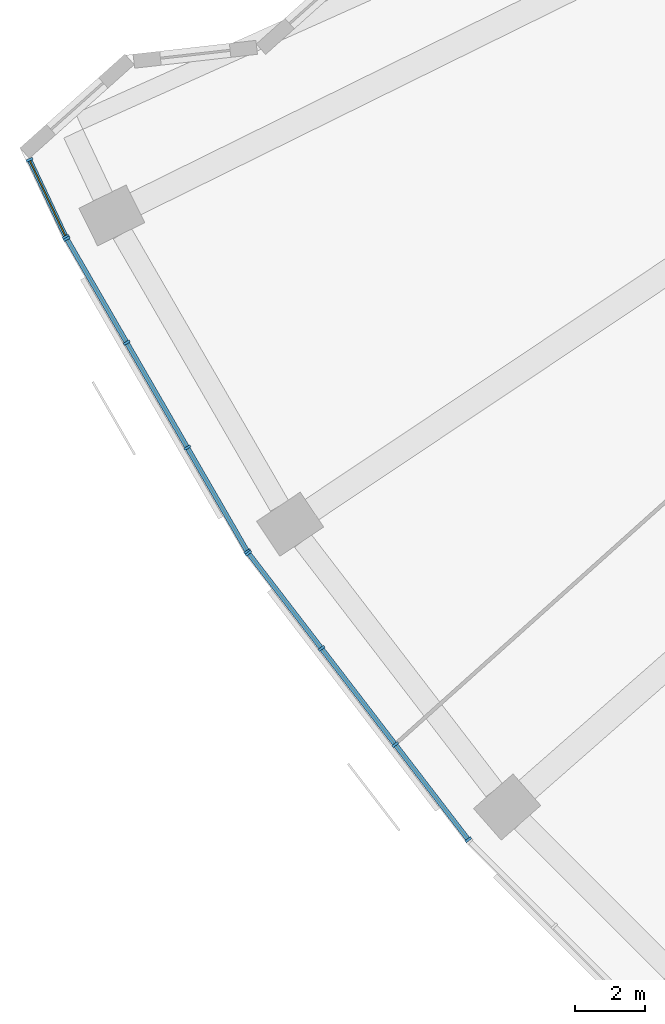
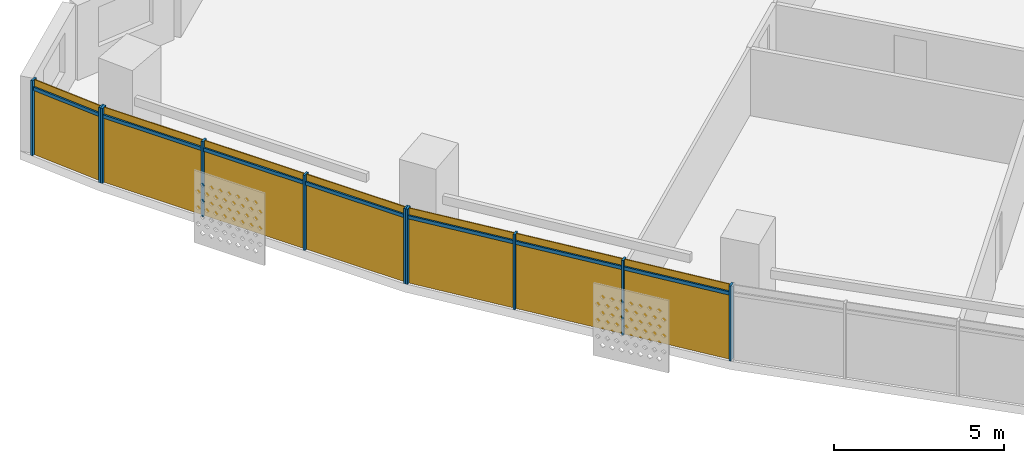
# One storey, part 19 of 29: 17 members, 3 curtain walls.
"""IFC4 building model written with IfcOpenShell, lengths in metres."""

from ifc_helpers import new_model, si_unit, direction, frame, origin, origin_2d, place, context, subcontext, project, spatial, rectangle, extrude, material, material_profile, profile_set, type_object, element, aggregate, save


model = new_model("IFC4")

# Units and contexts
model_context = context("Model", 3, precision=1e-05, world=origin(), true_north=direction((0.0, 1.0)))
body_context = subcontext(model_context, "Body", "Model", "MODEL_VIEW")
ifc_project = project(units=[si_unit("LENGTHUNIT", "METRE"), si_unit("AREAUNIT", "SQUARE_METRE"), si_unit("VOLUMEUNIT", "CUBIC_METRE"), si_unit("PLANEANGLEUNIT", "RADIAN"), si_unit("MASSUNIT", "GRAM", prefix="KILO")], contexts=[model_context])

# Member
ifc_material = material(Name="Aluminium 6063-T6 anodised", Category="aluminium")
ifc_material_profile_1 = material_profile(ifc_material, rectangle(XDim=0.199951171875, YDim=0.070068359375, at=origin_2d()))
ifc_profile_set_1 = profile_set([ifc_material_profile_1], Name="Aluminium 6063-T6 anodised")
member_type_1 = type_object("IfcMemberType", Name="Mullion 70 x 200 aluminium", PredefinedType="MULLION", material=ifc_profile_set_1)
site_placement = place(None, origin())
building_placement = place(site_placement, origin())
storey_placement = place(building_placement, frame((0.0, 0.0, 121.5)))
member_1_placement = place(storey_placement, frame((-72.08154296875, -32.800537109375, 0.0), z_axis=(0.0, 0.0, 1.0), x_axis=(0.904770248267, 0.425899985736, 0.0)))
member_1 = element("IfcMember", 1, at=member_1_placement, type_object=member_type_1, Name="e-cw1-L27-out00/M00", PredefinedType="MULLION", context=body_context, shape_type="SweptSolid", body=[
    extrude(rectangle(XDim=0.199951171875, YDim=0.070068359375, at=origin_2d()), origin(), (0.0, 0.0, 1.0), 2.699951171875),
])

member_2_placement = place(storey_placement, frame((-71.04638671875, -34.999267578125, 0.0), z_axis=(0.0, 0.0, 1.0), x_axis=(0.904770248267, 0.425899985736, 0.0)))
member_2 = element("IfcMember", 2, at=member_2_placement, type_object=member_type_1, Name="e-cw1-L27-out00/M01", PredefinedType="MULLION", context=body_context, shape_type="SweptSolid", body=[
    extrude(rectangle(XDim=0.199951171875, YDim=0.070068359375, at=origin_2d()), origin(), (0.0, 0.0, 1.0), 2.699951171875),
])

member_3_placement = place(storey_placement, frame((-71.017822265625, -35.0537109375, 0.0), z_axis=(0.0, 0.0, 1.0), x_axis=(0.866025403784, 0.5, 0.0)))
member_3 = element("IfcMember", 3, at=member_3_placement, type_object=member_type_1, Name="e-cw1-L27-out01/M00", PredefinedType="MULLION", context=body_context, shape_type="SweptSolid", body=[
    extrude(rectangle(XDim=0.199951171875, YDim=0.070068359375, at=origin_2d()), origin(), (0.0, 0.0, 1.0), 2.699951171875),
])

member_4_placement = place(storey_placement, frame((-69.306640625, -38.017822265625, 0.0), z_axis=(0.0, 0.0, 1.0), x_axis=(0.866025403784, 0.5, 0.0)))
member_4 = element("IfcMember", 4, at=member_4_placement, type_object=member_type_1, Name="e-cw1-L27-out01/M01", PredefinedType="MULLION", context=body_context, shape_type="SweptSolid", body=[
    extrude(rectangle(XDim=0.199951171875, YDim=0.070068359375, at=origin_2d()), origin(), (0.0, 0.0, 1.0), 2.699951171875),
])

member_5_placement = place(storey_placement, frame((-67.577880859375, -41.01220703125, 0.0), z_axis=(0.0, 0.0, 1.0), x_axis=(0.866025403784, 0.5, 0.0)))
member_5 = element("IfcMember", 5, at=member_5_placement, type_object=member_type_1, Name="e-cw1-L27-out01/M02", PredefinedType="MULLION", context=body_context, shape_type="SweptSolid", body=[
    extrude(rectangle(XDim=0.199951171875, YDim=0.070068359375, at=origin_2d()), origin(), (0.0, 0.0, 1.0), 2.699951171875),
])

member_6_placement = place(storey_placement, frame((-65.866455078125, -43.976318359375, 0.0), z_axis=(0.0, 0.0, 1.0), x_axis=(0.866025403784, 0.5, 0.0)))
member_6 = element("IfcMember", 6, at=member_6_placement, type_object=member_type_1, Name="e-cw1-L27-out01/M03", PredefinedType="MULLION", context=body_context, shape_type="SweptSolid", body=[
    extrude(rectangle(XDim=0.199951171875, YDim=0.070068359375, at=origin_2d()), origin(), (0.0, 0.0, 1.0), 2.699951171875),
])

member_7_placement = place(storey_placement, frame((-65.8349609375, -44.023681640625, 0.0), z_axis=(0.0, 0.0, 1.0), x_axis=(0.793353340291, 0.608761429009, 0.0)))
member_7 = element("IfcMember", 7, at=member_7_placement, type_object=member_type_1, Name="e-cw1-L27-out02/M00", PredefinedType="MULLION", context=body_context, shape_type="SweptSolid", body=[
    extrude(rectangle(XDim=0.199951171875, YDim=0.070068359375, at=origin_2d()), origin(), (0.0, 0.0, 1.0), 2.699951171875),
])

member_8_placement = place(storey_placement, frame((-63.751220703125, -46.739013671875, 0.0), z_axis=(0.0, 0.0, 1.0), x_axis=(0.793353340291, 0.608761429009, 0.0)))
member_8 = element("IfcMember", 8, at=member_8_placement, type_object=member_type_1, Name="e-cw1-L27-out02/M01", PredefinedType="MULLION", context=body_context, shape_type="SweptSolid", body=[
    extrude(rectangle(XDim=0.199951171875, YDim=0.070068359375, at=origin_2d()), origin(), (0.0, 0.0, 1.0), 2.699951171875),
])

member_9_placement = place(storey_placement, frame((-61.646484375, -49.482177734375, 0.0), z_axis=(0.0, 0.0, 1.0), x_axis=(0.793353340291, 0.608761429009, 0.0)))
member_9 = element("IfcMember", 9, at=member_9_placement, type_object=member_type_1, Name="e-cw1-L27-out02/M02", PredefinedType="MULLION", context=body_context, shape_type="SweptSolid", body=[
    extrude(rectangle(XDim=0.199951171875, YDim=0.070068359375, at=origin_2d()), origin(), (0.0, 0.0, 1.0), 2.699951171875),
])

member_10_placement = place(storey_placement, frame((-59.56298828125, -52.197509765625, 0.0), z_axis=(0.0, 0.0, 1.0), x_axis=(0.793353340291, 0.608761429009, 0.0)))
member_10 = element("IfcMember", 10, at=member_10_placement, type_object=member_type_1, Name="e-cw1-L27-out02/M03", PredefinedType="MULLION", context=body_context, shape_type="SweptSolid", body=[
    extrude(rectangle(XDim=0.199951171875, YDim=0.070068359375, at=origin_2d()), origin(), (0.0, 0.0, 1.0), 2.699951171875),
])

ifc_material_profile_2 = material_profile(ifc_material, rectangle(XDim=0.139892578125, YDim=0.1201171875, at=origin_2d()))
ifc_profile_set_2 = profile_set([ifc_material_profile_2], Name="Aluminium 6063-T6 anodised")
member_type_2 = type_object("IfcMemberType", Name="Transom 120 x 140 aluminium", PredefinedType="USERDEFINED", material=ifc_profile_set_2)
member_11_placement = place(storey_placement, frame((-72.066650390625, -32.83203125, 2.39990234375), z_axis=(0.425946469591, -0.904748365593, 0.0), x_axis=(0.904748365593, 0.425946469591, 0.0)))
member_11 = element("IfcMember", 11, at=member_11_placement, type_object=member_type_2, Name="e-cw1-L27-out00/T00", ObjectType="TRANSOM", PredefinedType="USERDEFINED", context=body_context, shape_type="SweptSolid", body=[
    extrude(rectangle(XDim=0.139892578125, YDim=0.1201171875, at=origin_2d()), origin(), (0.0, 0.0, 1.0), 2.3603515625),
])

member_12_placement = place(storey_placement, frame((-71.00048828125, -35.084228515625, 2.39990234375), z_axis=(0.50006283963, -0.865989120267, 0.0), x_axis=(0.865989120267, 0.50006283963, 0.0)))
member_12 = element("IfcMember", 12, at=member_12_placement, type_object=member_type_2, Name="e-cw1-L27-out01/T00", ObjectType="TRANSOM", PredefinedType="USERDEFINED", context=body_context, shape_type="SweptSolid", body=[
    extrude(rectangle(XDim=0.139892578125, YDim=0.1201171875, at=origin_2d()), origin(), (0.0, 0.0, 1.0), 3.3525390625),
])

member_13_placement = place(storey_placement, frame((-69.2890625, -38.048095703125, 2.39990234375), z_axis=(0.499999017107, -0.866025971257, 0.0), x_axis=(0.866025971257, 0.499999017107, 0.0)))
member_13 = element("IfcMember", 13, at=member_13_placement, type_object=member_type_2, Name="e-cw1-L27-out01/T01", ObjectType="TRANSOM", PredefinedType="USERDEFINED", context=body_context, shape_type="SweptSolid", body=[
    extrude(rectangle(XDim=0.139892578125, YDim=0.1201171875, at=origin_2d()), origin(), (0.0, 0.0, 1.0), 3.3876953125),
])

member_14_placement = place(storey_placement, frame((-67.560302734375, -41.042724609375, 2.39990234375), z_axis=(0.50000822536, -0.866020654818, 0.0), x_axis=(0.866020654818, 0.50000822536, 0.0)))
member_14 = element("IfcMember", 14, at=member_14_placement, type_object=member_type_2, Name="e-cw1-L27-out01/T02", ObjectType="TRANSOM", PredefinedType="USERDEFINED", context=body_context, shape_type="SweptSolid", body=[
    extrude(rectangle(XDim=0.139892578125, YDim=0.1201171875, at=origin_2d()), origin(), (0.0, 0.0, 1.0), 3.3525390625),
])

member_15_placement = place(storey_placement, frame((-65.8134765625, -44.05126953125, 2.39990234375), z_axis=(0.608714331426, -0.793389477316, 0.0), x_axis=(0.793389477316, 0.608714331426, 0.0)))
member_15 = element("IfcMember", 15, at=member_15_placement, type_object=member_type_2, Name="e-cw1-L27-out02/T00", ObjectType="TRANSOM", PredefinedType="USERDEFINED", context=body_context, shape_type="SweptSolid", body=[
    extrude(rectangle(XDim=0.139892578125, YDim=0.1201171875, at=origin_2d()), origin(), (0.0, 0.0, 1.0), 3.3525390625),
])

member_16_placement = place(storey_placement, frame((-63.72998046875, -46.766845703125, 2.39990234375), z_axis=(0.608773427772, -0.793344133173, 0.0), x_axis=(0.793344133173, 0.608773427772, 0.0)))
member_16 = element("IfcMember", 16, at=member_16_placement, type_object=member_type_2, Name="e-cw1-L27-out02/T01", ObjectType="TRANSOM", PredefinedType="USERDEFINED", context=body_context, shape_type="SweptSolid", body=[
    extrude(rectangle(XDim=0.139892578125, YDim=0.1201171875, at=origin_2d()), origin(), (0.0, 0.0, 1.0), 3.387451171875),
])

member_17_placement = place(storey_placement, frame((-61.625244140625, -49.509765625, 2.39990234375), z_axis=(0.608760167055, -0.793354308621, 0.0), x_axis=(0.793354308621, 0.608760167055, 0.0)))
member_17 = element("IfcMember", 17, at=member_17_placement, type_object=member_type_2, Name="e-cw1-L27-out02/T02", ObjectType="TRANSOM", PredefinedType="USERDEFINED", context=body_context, shape_type="SweptSolid", body=[
    extrude(rectangle(XDim=0.139892578125, YDim=0.1201171875, at=origin_2d()), origin(), (0.0, 0.0, 1.0), 3.352783203125),
])

# Site, building, storey
site = spatial("IfcSite", under=ifc_project, at=site_placement, CompositionType="ELEMENT")
building = spatial("IfcBuilding", under=site, at=building_placement, Name="Qamariyya Broadcast Tower", CompositionType="ELEMENT")
storey = spatial("IfcBuildingStorey", under=building, at=storey_placement, Name="L27", CompositionType="ELEMENT", Elevation=121.5)

# Curtain wall
curtain_wall_type = type_object("IfcCurtainWallType", Name="Unitised curtain wall, anodised aluminium", PredefinedType="NOTDEFINED", material=ifc_material)
curtain_wall_1_placement = place(storey_placement, origin())
curtain_wall_1 = element("IfcCurtainWall", 18, at=curtain_wall_1_placement, inside=storey, type_object=curtain_wall_type, Name="e-cw1-L27-out00", PredefinedType="NOTDEFINED", context=body_context, shape_type="SweptSolid", body=[
    extrude(rectangle(XDim=2.3603515625, YDim=0.031982421875, at=origin_2d()), frame((-71.56396484375, -33.89990234375, 0.0), x_axis=(0.425919293801, -0.904761159184, 0.0)), (0.0, 0.0, 1.0), 2.340087890625),
    extrude(rectangle(XDim=2.3603515625, YDim=0.031982421875, at=origin_2d()), frame((-71.56396484375, -33.89990234375, 2.4599609375), x_axis=(0.425919293801, -0.904761159184, 0.0)), (0.0, 0.0, 1.0), 0.239990234375),
])

aggregate(curtain_wall_1, [member_1, member_2, member_11])

curtain_wall_2_placement = place(storey_placement, origin())
curtain_wall_2 = element("IfcCurtainWall", 19, at=curtain_wall_2_placement, inside=storey, type_object=curtain_wall_type, Name="e-cw1-L27-out01", PredefinedType="NOTDEFINED", context=body_context, shape_type="SweptSolid", body=[
    extrude(rectangle(XDim=3.352783203125, YDim=0.031982421875, at=origin_2d()), frame((-70.162109375, -36.535888671875, 0.0), x_axis=(0.499996813733, -0.866027243369, 0.0)), (0.0, 0.0, 1.0), 2.340087890625),
    extrude(rectangle(XDim=3.352783203125, YDim=0.031982421875, at=origin_2d()), frame((-70.162109375, -36.535888671875, 2.4599609375), x_axis=(0.499996813733, -0.866027243369, 0.0)), (0.0, 0.0, 1.0), 0.239990234375),
    extrude(rectangle(XDim=3.3876953125, YDim=0.031982421875, at=origin_2d()), frame((-68.442138671875, -39.51513671875, 0.0), x_axis=(0.499996813733, -0.866027243369, 0.0)), (0.0, 0.0, 1.0), 2.340087890625),
    extrude(rectangle(XDim=3.3876953125, YDim=0.031982421875, at=origin_2d()), frame((-68.442138671875, -39.51513671875, 2.4599609375), x_axis=(0.499996813733, -0.866027243369, 0.0)), (0.0, 0.0, 1.0), 0.239990234375),
    extrude(rectangle(XDim=3.352783203125, YDim=0.031982421875, at=origin_2d()), frame((-66.72216796875, -42.494384765625, 0.0), x_axis=(0.499996813733, -0.866027243369, 0.0)), (0.0, 0.0, 1.0), 2.340087890625),
    extrude(rectangle(XDim=3.352783203125, YDim=0.031982421875, at=origin_2d()), frame((-66.72216796875, -42.494384765625, 2.4599609375), x_axis=(0.499996813733, -0.866027243369, 0.0)), (0.0, 0.0, 1.0), 0.239990234375),
])

aggregate(curtain_wall_2, [member_3, member_4, member_5, member_6, member_12, member_13, member_14])

curtain_wall_3_placement = place(storey_placement, origin())
curtain_wall_3 = element("IfcCurtainWall", 20, at=curtain_wall_3_placement, inside=storey, type_object=curtain_wall_type, Name="e-cw1-L27-out02", PredefinedType="NOTDEFINED", context=body_context, shape_type="SweptSolid", body=[
    extrude(rectangle(XDim=3.352783203125, YDim=0.031982421875, at=origin_2d()), frame((-64.793212890625, -45.38134765625, 0.0), x_axis=(0.608760568165, -0.793354000839, 0.0)), (0.0, 0.0, 1.0), 2.340087890625),
    extrude(rectangle(XDim=3.352783203125, YDim=0.031982421875, at=origin_2d()), frame((-64.793212890625, -45.38134765625, 2.4599609375), x_axis=(0.608760568165, -0.793354000839, 0.0)), (0.0, 0.0, 1.0), 0.239990234375),
    extrude(rectangle(XDim=3.3876953125, YDim=0.031982421875, at=origin_2d()), frame((-62.69873046875, -48.110595703125, 0.0), x_axis=(0.608760568165, -0.793354000839, 0.0)), (0.0, 0.0, 1.0), 2.340087890625),
    extrude(rectangle(XDim=3.3876953125, YDim=0.031982421875, at=origin_2d()), frame((-62.69873046875, -48.110595703125, 2.4599609375), x_axis=(0.608760568165, -0.793354000839, 0.0)), (0.0, 0.0, 1.0), 0.239990234375),
    extrude(rectangle(XDim=3.352783203125, YDim=0.031982421875, at=origin_2d()), frame((-60.6044921875, -50.83984375, 0.0), x_axis=(0.608760568165, -0.793354000839, 0.0)), (0.0, 0.0, 1.0), 2.340087890625),
    extrude(rectangle(XDim=3.352783203125, YDim=0.031982421875, at=origin_2d()), frame((-60.6044921875, -50.83984375, 2.4599609375), x_axis=(0.608760568165, -0.793354000839, 0.0)), (0.0, 0.0, 1.0), 0.239990234375),
])

aggregate(curtain_wall_3, [member_7, member_8, member_9, member_10, member_15, member_16, member_17])

save(model, "model.ifc")
